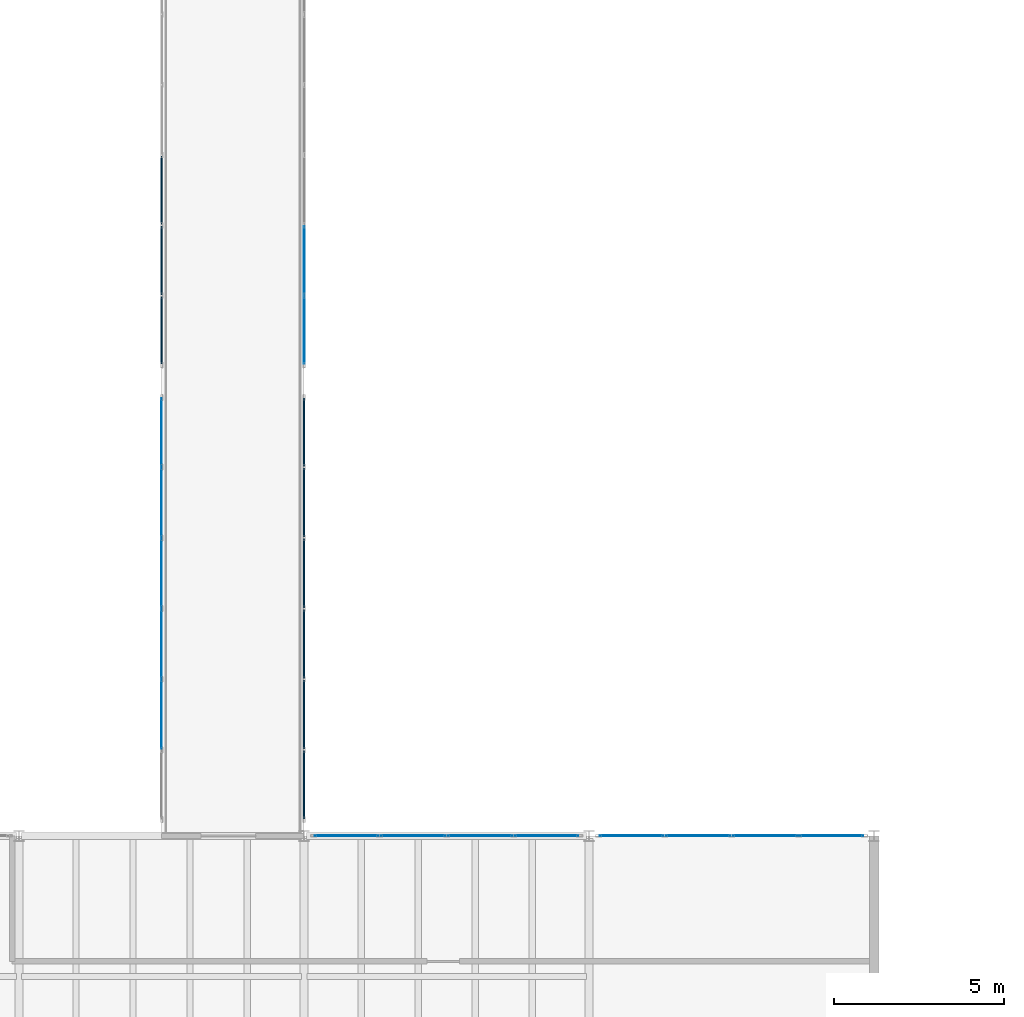
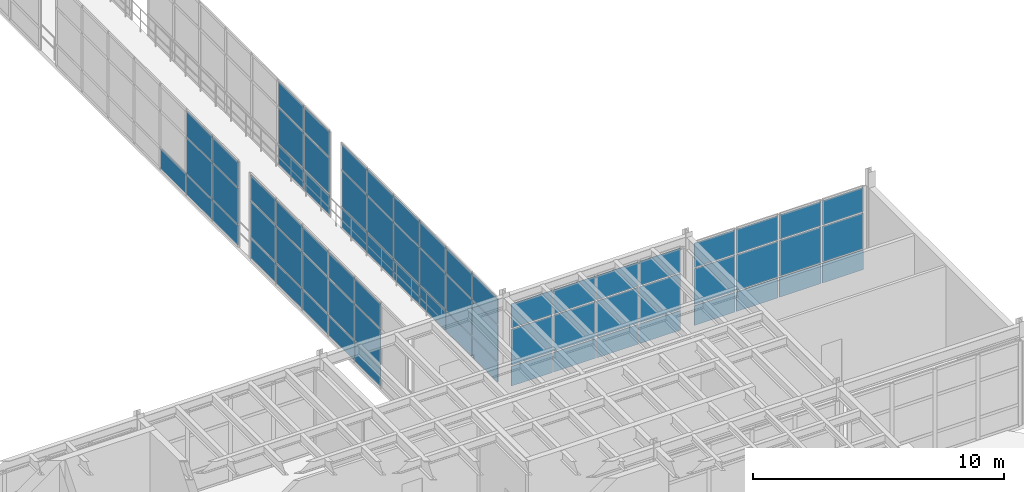
# One storey, part 77 of 105: 70 plates, 6 elements without a shape of their own.
"""IFC4 building model written with IfcOpenShell, lengths in metres."""

from ifc_helpers import new_model, si_unit, direction, frame, origin, origin_2d, place, context, subcontext, project, spatial, rectangle, extrude, material, layer, layer_set, type_object, element, aggregate, save


model = new_model("IFC4")

# Units and contexts
model_context = context("Model", 3, precision=1e-05, world=origin(), true_north=direction((0.0, 1.0)))
body_context = subcontext(model_context, "Body", "Model", "MODEL_VIEW")
ifc_project = project(units=[si_unit("LENGTHUNIT", "METRE"), si_unit("AREAUNIT", "SQUARE_METRE"), si_unit("VOLUMEUNIT", "CUBIC_METRE"), si_unit("PLANEANGLEUNIT", "RADIAN"), si_unit("MASSUNIT", "GRAM", prefix="KILO")], contexts=[model_context])

# Site, building, storey
site_placement = place(None, origin())
site = spatial("IfcSite", under=ifc_project, at=site_placement, CompositionType="ELEMENT")
building_placement = place(site_placement, origin())
building = spatial("IfcBuilding", under=site, at=building_placement, Name="Selat Folded Stagehouse", CompositionType="ELEMENT")
storey_placement = place(building_placement, frame((0.0, 0.0, 10.199951171875)))
storey = spatial("IfcBuildingStorey", under=building, at=storey_placement, Name="L02", CompositionType="ELEMENT", Elevation=10.199951171875)

# Curtain wall, plates
ifc_material_1 = material(Name="Aluminium 6063-T6", Category="aluminium")
ifc_layer_1 = layer(ifc_material_1, 0.195068359375)
ifc_layer_set_1 = layer_set([ifc_layer_1], Name="Aluminium 6063-T6")
curtain_wall_type_1 = type_object("IfcCurtainWallType", Name="CW-FYR-COURT", PredefinedType="NOTDEFINED", material=ifc_layer_set_1)
curtain_wall_1_placement = place(storey_placement, origin())
curtain_wall_1 = element("IfcCurtainWall", 1, at=curtain_wall_1_placement, inside=storey, type_object=curtain_wall_type_1, Name="L02 curtain wall CW-FYR-L02-12", PredefinedType="NOTDEFINED")
ifc_material_2 = material(Name="Clear laminated double glazing", Category="glass")
ifc_layer_2 = layer(ifc_material_2, 0.028076171875)
ifc_layer_set_2 = layer_set([ifc_layer_2], Name="Clear laminated double glazing")
plate_type_1 = type_object("IfcPlateType", Name="CWP-GLZ-DGU28", PredefinedType="CURTAIN_PANEL", material=ifc_layer_set_2)
plate_1_placement = place(storey_placement, frame((102.0537109375, 17.800048828125, 0.06494140625), z_axis=(0.0, 0.0, 1.0), x_axis=(1.0, 0.0, 0.0)))
plate_1 = element("IfcPlate", 2, at=plate_1_placement, type_object=plate_type_1, Name="CW-05 panel 1.1", PredefinedType="CURTAIN_PANEL", context=body_context, shape_type="SweptSolid", body=[
    extrude(rectangle(XDim=1.87744140625, YDim=0.028076171875, at=origin_2d()), origin(), (0.0, 0.0, 1.0), 0.952392578125),
])
plate_2_placement = place(storey_placement, frame((102.0537109375, 17.800048828125, 1.08251953125), z_axis=(0.0, 0.0, 1.0), x_axis=(1.0, 0.0, 0.0)))
plate_2 = element("IfcPlate", 3, at=plate_2_placement, type_object=plate_type_1, Name="CW-05 panel 1.2", PredefinedType="CURTAIN_PANEL", context=body_context, shape_type="SweptSolid", body=[
    extrude(rectangle(XDim=1.87744140625, YDim=0.028076171875, at=origin_2d()), origin(), (0.0, 0.0, 1.0), 1.735107421875),
])
plate_3_placement = place(storey_placement, frame((102.0537109375, 17.800048828125, 2.88232421875), z_axis=(0.0, 0.0, 1.0), x_axis=(1.0, 0.0, 0.0)))
plate_3 = element("IfcPlate", 4, at=plate_3_placement, type_object=plate_type_1, Name="CW-05 panel 1.3", PredefinedType="CURTAIN_PANEL", context=body_context, shape_type="SweptSolid", body=[
    extrude(rectangle(XDim=1.87744140625, YDim=0.028076171875, at=origin_2d()), origin(), (0.0, 0.0, 1.0), 1.172607421875),
])
plate_4_placement = place(storey_placement, frame((104.012451171875, 17.800048828125, 0.06494140625), z_axis=(0.0, 0.0, 1.0), x_axis=(1.0, 0.0, 0.0)))
plate_4 = element("IfcPlate", 5, at=plate_4_placement, type_object=plate_type_1, Name="CW-05 panel 2.1", PredefinedType="CURTAIN_PANEL", context=body_context, shape_type="SweptSolid", body=[
    extrude(rectangle(XDim=1.909912109375, YDim=0.028076171875, at=origin_2d()), origin(), (0.0, 0.0, 1.0), 0.952392578125),
])
plate_5_placement = place(storey_placement, frame((104.012451171875, 17.800048828125, 1.08251953125), z_axis=(0.0, 0.0, 1.0), x_axis=(1.0, 0.0, 0.0)))
plate_5 = element("IfcPlate", 6, at=plate_5_placement, type_object=plate_type_1, Name="CW-05 panel 2.2", PredefinedType="CURTAIN_PANEL", context=body_context, shape_type="SweptSolid", body=[
    extrude(rectangle(XDim=1.909912109375, YDim=0.028076171875, at=origin_2d()), origin(), (0.0, 0.0, 1.0), 1.735107421875),
])
plate_6_placement = place(storey_placement, frame((104.012451171875, 17.800048828125, 2.88232421875), z_axis=(0.0, 0.0, 1.0), x_axis=(1.0, 0.0, 0.0)))
plate_6 = element("IfcPlate", 7, at=plate_6_placement, type_object=plate_type_1, Name="CW-05 panel 2.3", PredefinedType="CURTAIN_PANEL", context=body_context, shape_type="SweptSolid", body=[
    extrude(rectangle(XDim=1.909912109375, YDim=0.028076171875, at=origin_2d()), origin(), (0.0, 0.0, 1.0), 1.172607421875),
])
plate_7_placement = place(storey_placement, frame((105.987548828125, 17.800048828125, 0.06494140625), z_axis=(0.0, 0.0, 1.0), x_axis=(1.0, 0.0, 0.0)))
plate_7 = element("IfcPlate", 8, at=plate_7_placement, type_object=plate_type_1, Name="CW-05 panel 3.1", PredefinedType="CURTAIN_PANEL", context=body_context, shape_type="SweptSolid", body=[
    extrude(rectangle(XDim=1.909912109375, YDim=0.028076171875, at=origin_2d()), origin(), (0.0, 0.0, 1.0), 0.952392578125),
])
plate_8_placement = place(storey_placement, frame((105.987548828125, 17.800048828125, 1.08251953125), z_axis=(0.0, 0.0, 1.0), x_axis=(1.0, 0.0, 0.0)))
plate_8 = element("IfcPlate", 9, at=plate_8_placement, type_object=plate_type_1, Name="CW-05 panel 3.2", PredefinedType="CURTAIN_PANEL", context=body_context, shape_type="SweptSolid", body=[
    extrude(rectangle(XDim=1.909912109375, YDim=0.028076171875, at=origin_2d()), origin(), (0.0, 0.0, 1.0), 1.735107421875),
])
plate_9_placement = place(storey_placement, frame((105.987548828125, 17.800048828125, 2.88232421875), z_axis=(0.0, 0.0, 1.0), x_axis=(1.0, 0.0, 0.0)))
plate_9 = element("IfcPlate", 10, at=plate_9_placement, type_object=plate_type_1, Name="CW-05 panel 3.3", PredefinedType="CURTAIN_PANEL", context=body_context, shape_type="SweptSolid", body=[
    extrude(rectangle(XDim=1.909912109375, YDim=0.028076171875, at=origin_2d()), origin(), (0.0, 0.0, 1.0), 1.172607421875),
])
plate_10_placement = place(storey_placement, frame((107.9462890625, 17.800048828125, 0.06494140625), z_axis=(0.0, 0.0, 1.0), x_axis=(1.0, 0.0, 0.0)))
plate_10 = element("IfcPlate", 11, at=plate_10_placement, type_object=plate_type_1, Name="CW-05 panel 4.1", PredefinedType="CURTAIN_PANEL", context=body_context, shape_type="SweptSolid", body=[
    extrude(rectangle(XDim=1.87744140625, YDim=0.028076171875, at=origin_2d()), origin(), (0.0, 0.0, 1.0), 0.952392578125),
])
plate_11_placement = place(storey_placement, frame((107.9462890625, 17.800048828125, 1.08251953125), z_axis=(0.0, 0.0, 1.0), x_axis=(1.0, 0.0, 0.0)))
plate_11 = element("IfcPlate", 12, at=plate_11_placement, type_object=plate_type_1, Name="CW-05 panel 4.2", PredefinedType="CURTAIN_PANEL", context=body_context, shape_type="SweptSolid", body=[
    extrude(rectangle(XDim=1.87744140625, YDim=0.028076171875, at=origin_2d()), origin(), (0.0, 0.0, 1.0), 1.735107421875),
])
plate_12_placement = place(storey_placement, frame((107.9462890625, 17.800048828125, 2.88232421875), z_axis=(0.0, 0.0, 1.0), x_axis=(1.0, 0.0, 0.0)))
plate_12 = element("IfcPlate", 13, at=plate_12_placement, type_object=plate_type_1, Name="CW-05 panel 4.3", PredefinedType="CURTAIN_PANEL", context=body_context, shape_type="SweptSolid", body=[
    extrude(rectangle(XDim=1.87744140625, YDim=0.028076171875, at=origin_2d()), origin(), (0.0, 0.0, 1.0), 1.172607421875),
])
aggregate(curtain_wall_1, [plate_1, plate_2, plate_3, plate_4, plate_5, plate_6, plate_7, plate_8, plate_9, plate_10, plate_11, plate_12])

curtain_wall_2_placement = place(storey_placement, origin())
curtain_wall_2 = element("IfcCurtainWall", 14, at=curtain_wall_2_placement, inside=storey, type_object=curtain_wall_type_1, Name="L02 curtain wall CW-FYR-L02-13", PredefinedType="NOTDEFINED")
plate_13_placement = place(storey_placement, frame((110.453857421875, 17.800048828125, 0.06494140625), z_axis=(0.0, 0.0, 1.0), x_axis=(1.0, 0.0, 0.0)))
plate_13 = element("IfcPlate", 15, at=plate_13_placement, type_object=plate_type_1, Name="CW-05 panel 1.1", PredefinedType="CURTAIN_PANEL", context=body_context, shape_type="SweptSolid", body=[
    extrude(rectangle(XDim=1.87744140625, YDim=0.028076171875, at=origin_2d()), origin(), (0.0, 0.0, 1.0), 0.952392578125),
])
plate_14_placement = place(storey_placement, frame((110.453857421875, 17.800048828125, 1.08251953125), z_axis=(0.0, 0.0, 1.0), x_axis=(1.0, 0.0, 0.0)))
plate_14 = element("IfcPlate", 16, at=plate_14_placement, type_object=plate_type_1, Name="CW-05 panel 1.2", PredefinedType="CURTAIN_PANEL", context=body_context, shape_type="SweptSolid", body=[
    extrude(rectangle(XDim=1.87744140625, YDim=0.028076171875, at=origin_2d()), origin(), (0.0, 0.0, 1.0), 1.735107421875),
])
plate_15_placement = place(storey_placement, frame((110.453857421875, 17.800048828125, 2.88232421875), z_axis=(0.0, 0.0, 1.0), x_axis=(1.0, 0.0, 0.0)))
plate_15 = element("IfcPlate", 17, at=plate_15_placement, type_object=plate_type_1, Name="CW-05 panel 1.3", PredefinedType="CURTAIN_PANEL", context=body_context, shape_type="SweptSolid", body=[
    extrude(rectangle(XDim=1.87744140625, YDim=0.028076171875, at=origin_2d()), origin(), (0.0, 0.0, 1.0), 1.172607421875),
])
plate_16_placement = place(storey_placement, frame((112.41259765625, 17.800048828125, 0.06494140625), z_axis=(0.0, 0.0, 1.0), x_axis=(1.0, 0.0, 0.0)))
plate_16 = element("IfcPlate", 18, at=plate_16_placement, type_object=plate_type_1, Name="CW-05 panel 2.1", PredefinedType="CURTAIN_PANEL", context=body_context, shape_type="SweptSolid", body=[
    extrude(rectangle(XDim=1.909912109375, YDim=0.028076171875, at=origin_2d()), origin(), (0.0, 0.0, 1.0), 0.952392578125),
])
plate_17_placement = place(storey_placement, frame((112.41259765625, 17.800048828125, 1.08251953125), z_axis=(0.0, 0.0, 1.0), x_axis=(1.0, 0.0, 0.0)))
plate_17 = element("IfcPlate", 19, at=plate_17_placement, type_object=plate_type_1, Name="CW-05 panel 2.2", PredefinedType="CURTAIN_PANEL", context=body_context, shape_type="SweptSolid", body=[
    extrude(rectangle(XDim=1.909912109375, YDim=0.028076171875, at=origin_2d()), origin(), (0.0, 0.0, 1.0), 1.735107421875),
])
plate_18_placement = place(storey_placement, frame((112.41259765625, 17.800048828125, 2.88232421875), z_axis=(0.0, 0.0, 1.0), x_axis=(1.0, 0.0, 0.0)))
plate_18 = element("IfcPlate", 20, at=plate_18_placement, type_object=plate_type_1, Name="CW-05 panel 2.3", PredefinedType="CURTAIN_PANEL", context=body_context, shape_type="SweptSolid", body=[
    extrude(rectangle(XDim=1.909912109375, YDim=0.028076171875, at=origin_2d()), origin(), (0.0, 0.0, 1.0), 1.172607421875),
])
plate_19_placement = place(storey_placement, frame((114.387451171875, 17.800048828125, 0.06494140625), z_axis=(0.0, 0.0, 1.0), x_axis=(1.0, 0.0, 0.0)))
plate_19 = element("IfcPlate", 21, at=plate_19_placement, type_object=plate_type_1, Name="CW-05 panel 3.1", PredefinedType="CURTAIN_PANEL", context=body_context, shape_type="SweptSolid", body=[
    extrude(rectangle(XDim=1.909912109375, YDim=0.028076171875, at=origin_2d()), origin(), (0.0, 0.0, 1.0), 0.952392578125),
])
plate_20_placement = place(storey_placement, frame((114.387451171875, 17.800048828125, 1.08251953125), z_axis=(0.0, 0.0, 1.0), x_axis=(1.0, 0.0, 0.0)))
plate_20 = element("IfcPlate", 22, at=plate_20_placement, type_object=plate_type_1, Name="CW-05 panel 3.2", PredefinedType="CURTAIN_PANEL", context=body_context, shape_type="SweptSolid", body=[
    extrude(rectangle(XDim=1.909912109375, YDim=0.028076171875, at=origin_2d()), origin(), (0.0, 0.0, 1.0), 1.735107421875),
])
plate_21_placement = place(storey_placement, frame((114.387451171875, 17.800048828125, 2.88232421875), z_axis=(0.0, 0.0, 1.0), x_axis=(1.0, 0.0, 0.0)))
plate_21 = element("IfcPlate", 23, at=plate_21_placement, type_object=plate_type_1, Name="CW-05 panel 3.3", PredefinedType="CURTAIN_PANEL", context=body_context, shape_type="SweptSolid", body=[
    extrude(rectangle(XDim=1.909912109375, YDim=0.028076171875, at=origin_2d()), origin(), (0.0, 0.0, 1.0), 1.172607421875),
])
plate_22_placement = place(storey_placement, frame((116.34619140625, 17.800048828125, 0.06494140625), z_axis=(0.0, 0.0, 1.0), x_axis=(1.0, 0.0, 0.0)))
plate_22 = element("IfcPlate", 24, at=plate_22_placement, type_object=plate_type_1, Name="CW-05 panel 4.1", PredefinedType="CURTAIN_PANEL", context=body_context, shape_type="SweptSolid", body=[
    extrude(rectangle(XDim=1.87744140625, YDim=0.028076171875, at=origin_2d()), origin(), (0.0, 0.0, 1.0), 0.952392578125),
])
plate_23_placement = place(storey_placement, frame((116.34619140625, 17.800048828125, 1.08251953125), z_axis=(0.0, 0.0, 1.0), x_axis=(1.0, 0.0, 0.0)))
plate_23 = element("IfcPlate", 25, at=plate_23_placement, type_object=plate_type_1, Name="CW-05 panel 4.2", PredefinedType="CURTAIN_PANEL", context=body_context, shape_type="SweptSolid", body=[
    extrude(rectangle(XDim=1.87744140625, YDim=0.028076171875, at=origin_2d()), origin(), (0.0, 0.0, 1.0), 1.735107421875),
])
plate_24_placement = place(storey_placement, frame((116.34619140625, 17.800048828125, 2.88232421875), z_axis=(0.0, 0.0, 1.0), x_axis=(1.0, 0.0, 0.0)))
plate_24 = element("IfcPlate", 26, at=plate_24_placement, type_object=plate_type_1, Name="CW-05 panel 4.3", PredefinedType="CURTAIN_PANEL", context=body_context, shape_type="SweptSolid", body=[
    extrude(rectangle(XDim=1.87744140625, YDim=0.028076171875, at=origin_2d()), origin(), (0.0, 0.0, 1.0), 1.172607421875),
])
aggregate(curtain_wall_2, [plate_13, plate_14, plate_15, plate_16, plate_17, plate_18, plate_19, plate_20, plate_21, plate_22, plate_23, plate_24])

ifc_layer_3 = layer(ifc_material_1, 0.175048828125)
ifc_layer_set_3 = layer_set([ifc_layer_3], Name="Aluminium 6063-T6")
curtain_wall_type_2 = type_object("IfcCurtainWallType", Name="CW-BRG-GLAZ", PredefinedType="NOTDEFINED", material=ifc_layer_set_3)
curtain_wall_3_placement = place(storey_placement, origin())
curtain_wall_3 = element("IfcCurtainWall", 27, at=curtain_wall_3_placement, inside=storey, type_object=curtain_wall_type_2, Name="L02 curtain wall CW-BRG-11", PredefinedType="NOTDEFINED")
plate_25_placement = place(storey_placement, frame((96.60009765625, 21.375, 0.06494140625), z_axis=(0.0, 0.0, 1.0), x_axis=(0.0, 1.0, 0.0)))
plate_25 = element("IfcPlate", 28, at=plate_25_placement, type_object=plate_type_1, Name="CW-07 panel 2.1", PredefinedType="CURTAIN_PANEL", context=body_context, shape_type="SweptSolid", body=[
    extrude(rectangle(XDim=2.0234375, YDim=0.028076171875, at=origin_2d()), origin(), (0.0, 0.0, 1.0), 0.952392578125),
])
plate_26_placement = place(storey_placement, frame((96.60009765625, 21.375, 1.08251953125), z_axis=(0.0, 0.0, 1.0), x_axis=(0.0, 1.0, 0.0)))
plate_26 = element("IfcPlate", 29, at=plate_26_placement, type_object=plate_type_1, Name="CW-07 panel 2.2", PredefinedType="CURTAIN_PANEL", context=body_context, shape_type="SweptSolid", body=[
    extrude(rectangle(XDim=2.0234375, YDim=0.028076171875, at=origin_2d()), origin(), (0.0, 0.0, 1.0), 1.735107421875),
])
plate_27_placement = place(storey_placement, frame((96.60009765625, 21.375, 2.8828125), z_axis=(0.0, 0.0, 1.0), x_axis=(0.0, 1.0, 0.0)))
plate_27 = element("IfcPlate", 30, at=plate_27_placement, type_object=plate_type_1, Name="CW-07 panel 2.3", PredefinedType="CURTAIN_PANEL", context=body_context, shape_type="SweptSolid", body=[
    extrude(rectangle(XDim=2.0234375, YDim=0.028076171875, at=origin_2d()), origin(), (0.0, 0.0, 1.0), 1.202392578125),
])
plate_28_placement = place(storey_placement, frame((96.60009765625, 23.458251953125, 0.06494140625), z_axis=(0.0, 0.0, 1.0), x_axis=(0.0, 1.0, 0.0)))
plate_28 = element("IfcPlate", 31, at=plate_28_placement, type_object=plate_type_1, Name="CW-07 panel 3.1", PredefinedType="CURTAIN_PANEL", context=body_context, shape_type="SweptSolid", body=[
    extrude(rectangle(XDim=2.0234375, YDim=0.028076171875, at=origin_2d()), origin(), (0.0, 0.0, 1.0), 0.952392578125),
])
plate_29_placement = place(storey_placement, frame((96.60009765625, 23.458251953125, 1.08251953125), z_axis=(0.0, 0.0, 1.0), x_axis=(0.0, 1.0, 0.0)))
plate_29 = element("IfcPlate", 32, at=plate_29_placement, type_object=plate_type_1, Name="CW-07 panel 3.2", PredefinedType="CURTAIN_PANEL", context=body_context, shape_type="SweptSolid", body=[
    extrude(rectangle(XDim=2.0234375, YDim=0.028076171875, at=origin_2d()), origin(), (0.0, 0.0, 1.0), 1.735107421875),
])
plate_30_placement = place(storey_placement, frame((96.60009765625, 23.458251953125, 2.8828125), z_axis=(0.0, 0.0, 1.0), x_axis=(0.0, 1.0, 0.0)))
plate_30 = element("IfcPlate", 33, at=plate_30_placement, type_object=plate_type_1, Name="CW-07 panel 3.3", PredefinedType="CURTAIN_PANEL", context=body_context, shape_type="SweptSolid", body=[
    extrude(rectangle(XDim=2.0234375, YDim=0.028076171875, at=origin_2d()), origin(), (0.0, 0.0, 1.0), 1.202392578125),
])
plate_31_placement = place(storey_placement, frame((96.60009765625, 25.541748046875, 0.06494140625), z_axis=(0.0, 0.0, 1.0), x_axis=(0.0, 1.0, 0.0)))
plate_31 = element("IfcPlate", 34, at=plate_31_placement, type_object=plate_type_1, Name="CW-07 panel 4.1", PredefinedType="CURTAIN_PANEL", context=body_context, shape_type="SweptSolid", body=[
    extrude(rectangle(XDim=2.0234375, YDim=0.028076171875, at=origin_2d()), origin(), (0.0, 0.0, 1.0), 0.952392578125),
])
plate_32_placement = place(storey_placement, frame((96.60009765625, 25.541748046875, 1.08251953125), z_axis=(0.0, 0.0, 1.0), x_axis=(0.0, 1.0, 0.0)))
plate_32 = element("IfcPlate", 35, at=plate_32_placement, type_object=plate_type_1, Name="CW-07 panel 4.2", PredefinedType="CURTAIN_PANEL", context=body_context, shape_type="SweptSolid", body=[
    extrude(rectangle(XDim=2.0234375, YDim=0.028076171875, at=origin_2d()), origin(), (0.0, 0.0, 1.0), 1.735107421875),
])
plate_33_placement = place(storey_placement, frame((96.60009765625, 25.541748046875, 2.8828125), z_axis=(0.0, 0.0, 1.0), x_axis=(0.0, 1.0, 0.0)))
plate_33 = element("IfcPlate", 36, at=plate_33_placement, type_object=plate_type_1, Name="CW-07 panel 4.3", PredefinedType="CURTAIN_PANEL", context=body_context, shape_type="SweptSolid", body=[
    extrude(rectangle(XDim=2.0234375, YDim=0.028076171875, at=origin_2d()), origin(), (0.0, 0.0, 1.0), 1.202392578125),
])
plate_34_placement = place(storey_placement, frame((96.60009765625, 27.625, 0.06494140625), z_axis=(0.0, 0.0, 1.0), x_axis=(0.0, 1.0, 0.0)))
plate_34 = element("IfcPlate", 37, at=plate_34_placement, type_object=plate_type_1, Name="CW-07 panel 5.1", PredefinedType="CURTAIN_PANEL", context=body_context, shape_type="SweptSolid", body=[
    extrude(rectangle(XDim=2.0234375, YDim=0.028076171875, at=origin_2d()), origin(), (0.0, 0.0, 1.0), 0.952392578125),
])
plate_35_placement = place(storey_placement, frame((96.60009765625, 27.625, 1.08251953125), z_axis=(0.0, 0.0, 1.0), x_axis=(0.0, 1.0, 0.0)))
plate_35 = element("IfcPlate", 38, at=plate_35_placement, type_object=plate_type_1, Name="CW-07 panel 5.2", PredefinedType="CURTAIN_PANEL", context=body_context, shape_type="SweptSolid", body=[
    extrude(rectangle(XDim=2.0234375, YDim=0.028076171875, at=origin_2d()), origin(), (0.0, 0.0, 1.0), 1.735107421875),
])
plate_36_placement = place(storey_placement, frame((96.60009765625, 27.625, 2.8828125), z_axis=(0.0, 0.0, 1.0), x_axis=(0.0, 1.0, 0.0)))
plate_36 = element("IfcPlate", 39, at=plate_36_placement, type_object=plate_type_1, Name="CW-07 panel 5.3", PredefinedType="CURTAIN_PANEL", context=body_context, shape_type="SweptSolid", body=[
    extrude(rectangle(XDim=2.0234375, YDim=0.028076171875, at=origin_2d()), origin(), (0.0, 0.0, 1.0), 1.202392578125),
])
plate_37_placement = place(storey_placement, frame((96.60009765625, 29.693359375, 0.06494140625), z_axis=(0.0, 0.0, 1.0), x_axis=(0.0, 1.0, 0.0)))
plate_37 = element("IfcPlate", 40, at=plate_37_placement, type_object=plate_type_1, Name="CW-07 panel 6.1", PredefinedType="CURTAIN_PANEL", context=body_context, shape_type="SweptSolid", body=[
    extrude(rectangle(XDim=1.993408203125, YDim=0.028076171875, at=origin_2d()), origin(), (0.0, 0.0, 1.0), 0.952392578125),
])
plate_38_placement = place(storey_placement, frame((96.60009765625, 29.693359375, 1.08251953125), z_axis=(0.0, 0.0, 1.0), x_axis=(0.0, 1.0, 0.0)))
plate_38 = element("IfcPlate", 41, at=plate_38_placement, type_object=plate_type_1, Name="CW-07 panel 6.2", PredefinedType="CURTAIN_PANEL", context=body_context, shape_type="SweptSolid", body=[
    extrude(rectangle(XDim=1.993408203125, YDim=0.028076171875, at=origin_2d()), origin(), (0.0, 0.0, 1.0), 1.735107421875),
])
plate_39_placement = place(storey_placement, frame((96.60009765625, 29.693359375, 2.8828125), z_axis=(0.0, 0.0, 1.0), x_axis=(0.0, 1.0, 0.0)))
plate_39 = element("IfcPlate", 42, at=plate_39_placement, type_object=plate_type_1, Name="CW-07 panel 6.3", PredefinedType="CURTAIN_PANEL", context=body_context, shape_type="SweptSolid", body=[
    extrude(rectangle(XDim=1.993408203125, YDim=0.028076171875, at=origin_2d()), origin(), (0.0, 0.0, 1.0), 1.202392578125),
])
aggregate(curtain_wall_3, [plate_25, plate_26, plate_27, plate_28, plate_29, plate_30, plate_31, plate_32, plate_33, plate_34, plate_35, plate_36, plate_37, plate_38, plate_39])

curtain_wall_4_placement = place(storey_placement, origin())
curtain_wall_4 = element("IfcCurtainWall", 43, at=curtain_wall_4_placement, inside=storey, type_object=curtain_wall_type_2, Name="L02 curtain wall CW-BRG-17", PredefinedType="NOTDEFINED")
plate_40_placement = place(storey_placement, frame((100.800048828125, 34.757080078125, 0.06494140625), z_axis=(0.0, 0.0, 1.0), x_axis=(0.0, -1.0, 0.0)))
plate_40 = element("IfcPlate", 44, at=plate_40_placement, type_object=plate_type_1, Name="CW-07 panel 6.1", PredefinedType="CURTAIN_PANEL", context=body_context, shape_type="SweptSolid", body=[
    extrude(rectangle(XDim=2.011474609375, YDim=0.028076171875, at=origin_2d()), origin(), (0.0, 0.0, 1.0), 0.952392578125),
])
plate_41_placement = place(storey_placement, frame((100.800048828125, 34.757080078125, 1.08251953125), z_axis=(0.0, 0.0, 1.0), x_axis=(0.0, -1.0, 0.0)))
plate_41 = element("IfcPlate", 45, at=plate_41_placement, type_object=plate_type_1, Name="CW-07 panel 6.2", PredefinedType="CURTAIN_PANEL", context=body_context, shape_type="SweptSolid", body=[
    extrude(rectangle(XDim=2.011474609375, YDim=0.028076171875, at=origin_2d()), origin(), (0.0, 0.0, 1.0), 1.735107421875),
])
plate_42_placement = place(storey_placement, frame((100.800048828125, 34.757080078125, 2.8828125), z_axis=(0.0, 0.0, 1.0), x_axis=(0.0, -1.0, 0.0)))
plate_42 = element("IfcPlate", 46, at=plate_42_placement, type_object=plate_type_1, Name="CW-07 panel 6.3", PredefinedType="CURTAIN_PANEL", context=body_context, shape_type="SweptSolid", body=[
    extrude(rectangle(XDim=2.011474609375, YDim=0.028076171875, at=origin_2d()), origin(), (0.0, 0.0, 1.0), 1.202392578125),
])
plate_43_placement = place(storey_placement, frame((100.800048828125, 32.70068359375, 0.06494140625), z_axis=(0.0, 0.0, 1.0), x_axis=(0.0, -1.0, 0.0)))
plate_43 = element("IfcPlate", 47, at=plate_43_placement, type_object=plate_type_1, Name="CW-07 panel 7.1", PredefinedType="CURTAIN_PANEL", context=body_context, shape_type="SweptSolid", body=[
    extrude(rectangle(XDim=1.9814453125, YDim=0.028076171875, at=origin_2d()), origin(), (0.0, 0.0, 1.0), 0.952392578125),
])
plate_44_placement = place(storey_placement, frame((100.800048828125, 32.70068359375, 1.08251953125), z_axis=(0.0, 0.0, 1.0), x_axis=(0.0, -1.0, 0.0)))
plate_44 = element("IfcPlate", 48, at=plate_44_placement, type_object=plate_type_1, Name="CW-07 panel 7.2", PredefinedType="CURTAIN_PANEL", context=body_context, shape_type="SweptSolid", body=[
    extrude(rectangle(XDim=1.9814453125, YDim=0.028076171875, at=origin_2d()), origin(), (0.0, 0.0, 1.0), 1.735107421875),
])
plate_45_placement = place(storey_placement, frame((100.800048828125, 32.70068359375, 2.8828125), z_axis=(0.0, 0.0, 1.0), x_axis=(0.0, -1.0, 0.0)))
plate_45 = element("IfcPlate", 49, at=plate_45_placement, type_object=plate_type_1, Name="CW-07 panel 7.3", PredefinedType="CURTAIN_PANEL", context=body_context, shape_type="SweptSolid", body=[
    extrude(rectangle(XDim=1.9814453125, YDim=0.028076171875, at=origin_2d()), origin(), (0.0, 0.0, 1.0), 1.202392578125),
])
aggregate(curtain_wall_4, [plate_40, plate_41, plate_42, plate_43, plate_44, plate_45])

curtain_wall_5_placement = place(storey_placement, origin())
curtain_wall_5 = element("IfcCurtainWall", 50, at=curtain_wall_5_placement, inside=storey, type_object=curtain_wall_type_2, Name="L02 curtain wall CW-BRG-12", PredefinedType="NOTDEFINED")
ifc_material_3 = material(Name="Acoustic insulated spandrel cassette", Category="aluminium")
ifc_layer_4 = layer(ifc_material_3, 0.055908203125)
ifc_layer_set_4 = layer_set([ifc_layer_4], Name="Acoustic insulated spandrel cassette")
plate_type_2 = type_object("IfcPlateType", Name="CWP-SPD-ALU56", PredefinedType="CURTAIN_PANEL", material=ifc_layer_set_4)
plate_46_placement = place(storey_placement, frame((96.60009765625, 32.70068359375, 0.06494140625), z_axis=(0.0, 0.0, 1.0), x_axis=(0.0, 1.0, 0.0)))
plate_46 = element("IfcPlate", 51, at=plate_46_placement, type_object=plate_type_2, Name="CW-07 panel 1.1", PredefinedType="CURTAIN_PANEL", context=body_context, shape_type="SweptSolid", body=[
    extrude(rectangle(XDim=1.9814453125, YDim=0.055908203125, at=origin_2d()), origin(), (0.0, 0.0, 1.0), 0.952392578125),
])
plate_47_placement = place(storey_placement, frame((96.60009765625, 32.70068359375, 1.08251953125), z_axis=(0.0, 0.0, 1.0), x_axis=(0.0, 1.0, 0.0)))
plate_47 = element("IfcPlate", 52, at=plate_47_placement, type_object=plate_type_2, Name="CW-07 panel 1.2", PredefinedType="CURTAIN_PANEL", context=body_context, shape_type="SweptSolid", body=[
    extrude(rectangle(XDim=1.9814453125, YDim=0.055908203125, at=origin_2d()), origin(), (0.0, 0.0, 1.0), 1.735107421875),
])
plate_48_placement = place(storey_placement, frame((96.60009765625, 32.70068359375, 2.8828125), z_axis=(0.0, 0.0, 1.0), x_axis=(0.0, 1.0, 0.0)))
plate_48 = element("IfcPlate", 53, at=plate_48_placement, type_object=plate_type_2, Name="CW-07 panel 1.3", PredefinedType="CURTAIN_PANEL", context=body_context, shape_type="SweptSolid", body=[
    extrude(rectangle(XDim=1.9814453125, YDim=0.055908203125, at=origin_2d()), origin(), (0.0, 0.0, 1.0), 1.202392578125),
])
plate_49_placement = place(storey_placement, frame((96.60009765625, 34.757080078125, 0.06494140625), z_axis=(0.0, 0.0, 1.0), x_axis=(0.0, 1.0, 0.0)))
plate_49 = element("IfcPlate", 54, at=plate_49_placement, type_object=plate_type_2, Name="CW-07 panel 2.1", PredefinedType="CURTAIN_PANEL", context=body_context, shape_type="SweptSolid", body=[
    extrude(rectangle(XDim=2.011474609375, YDim=0.055908203125, at=origin_2d()), origin(), (0.0, 0.0, 1.0), 0.952392578125),
])
plate_50_placement = place(storey_placement, frame((96.60009765625, 34.757080078125, 1.08251953125), z_axis=(0.0, 0.0, 1.0), x_axis=(0.0, 1.0, 0.0)))
plate_50 = element("IfcPlate", 55, at=plate_50_placement, type_object=plate_type_2, Name="CW-07 panel 2.2", PredefinedType="CURTAIN_PANEL", context=body_context, shape_type="SweptSolid", body=[
    extrude(rectangle(XDim=2.011474609375, YDim=0.055908203125, at=origin_2d()), origin(), (0.0, 0.0, 1.0), 1.735107421875),
])
plate_51_placement = place(storey_placement, frame((96.60009765625, 34.757080078125, 2.8828125), z_axis=(0.0, 0.0, 1.0), x_axis=(0.0, 1.0, 0.0)))
plate_51 = element("IfcPlate", 56, at=plate_51_placement, type_object=plate_type_2, Name="CW-07 panel 2.3", PredefinedType="CURTAIN_PANEL", context=body_context, shape_type="SweptSolid", body=[
    extrude(rectangle(XDim=2.011474609375, YDim=0.055908203125, at=origin_2d()), origin(), (0.0, 0.0, 1.0), 1.202392578125),
])
plate_52_placement = place(storey_placement, frame((96.60009765625, 36.82861328125, 0.06494140625), z_axis=(0.0, 0.0, 1.0), x_axis=(0.0, 1.0, 0.0)))
plate_52 = element("IfcPlate", 57, at=plate_52_placement, type_object=plate_type_2, Name="CW-07 panel 3.1", PredefinedType="CURTAIN_PANEL", context=body_context, shape_type="SweptSolid", body=[
    extrude(rectangle(XDim=2.011474609375, YDim=0.055908203125, at=origin_2d()), origin(), (0.0, 0.0, 1.0), 0.952392578125),
])
aggregate(curtain_wall_5, [plate_46, plate_47, plate_48, plate_49, plate_50, plate_51, plate_52])

curtain_wall_6_placement = place(storey_placement, origin())
curtain_wall_6 = element("IfcCurtainWall", 58, at=curtain_wall_6_placement, inside=storey, type_object=curtain_wall_type_2, Name="L02 curtain wall CW-BRG-16", PredefinedType="NOTDEFINED")
plate_53_placement = place(storey_placement, frame((100.800048828125, 29.693359375, 0.06494140625), z_axis=(0.0, 0.0, 1.0), x_axis=(0.0, -1.0, 0.0)))
plate_53 = element("IfcPlate", 59, at=plate_53_placement, type_object=plate_type_2, Name="CW-07 panel 1.1", PredefinedType="CURTAIN_PANEL", context=body_context, shape_type="SweptSolid", body=[
    extrude(rectangle(XDim=1.993408203125, YDim=0.055908203125, at=origin_2d()), origin(), (0.0, 0.0, 1.0), 0.952392578125),
])
plate_54_placement = place(storey_placement, frame((100.800048828125, 29.693359375, 1.08251953125), z_axis=(0.0, 0.0, 1.0), x_axis=(0.0, -1.0, 0.0)))
plate_54 = element("IfcPlate", 60, at=plate_54_placement, type_object=plate_type_2, Name="CW-07 panel 1.2", PredefinedType="CURTAIN_PANEL", context=body_context, shape_type="SweptSolid", body=[
    extrude(rectangle(XDim=1.993408203125, YDim=0.055908203125, at=origin_2d()), origin(), (0.0, 0.0, 1.0), 1.735107421875),
])
plate_55_placement = place(storey_placement, frame((100.800048828125, 29.693359375, 2.8828125), z_axis=(0.0, 0.0, 1.0), x_axis=(0.0, -1.0, 0.0)))
plate_55 = element("IfcPlate", 61, at=plate_55_placement, type_object=plate_type_2, Name="CW-07 panel 1.3", PredefinedType="CURTAIN_PANEL", context=body_context, shape_type="SweptSolid", body=[
    extrude(rectangle(XDim=1.993408203125, YDim=0.055908203125, at=origin_2d()), origin(), (0.0, 0.0, 1.0), 1.202392578125),
])
plate_56_placement = place(storey_placement, frame((100.800048828125, 27.625, 0.06494140625), z_axis=(0.0, 0.0, 1.0), x_axis=(0.0, -1.0, 0.0)))
plate_56 = element("IfcPlate", 62, at=plate_56_placement, type_object=plate_type_2, Name="CW-07 panel 2.1", PredefinedType="CURTAIN_PANEL", context=body_context, shape_type="SweptSolid", body=[
    extrude(rectangle(XDim=2.0234375, YDim=0.055908203125, at=origin_2d()), origin(), (0.0, 0.0, 1.0), 0.952392578125),
])
plate_57_placement = place(storey_placement, frame((100.800048828125, 27.625, 1.08251953125), z_axis=(0.0, 0.0, 1.0), x_axis=(0.0, -1.0, 0.0)))
plate_57 = element("IfcPlate", 63, at=plate_57_placement, type_object=plate_type_2, Name="CW-07 panel 2.2", PredefinedType="CURTAIN_PANEL", context=body_context, shape_type="SweptSolid", body=[
    extrude(rectangle(XDim=2.0234375, YDim=0.055908203125, at=origin_2d()), origin(), (0.0, 0.0, 1.0), 1.735107421875),
])
plate_58_placement = place(storey_placement, frame((100.800048828125, 27.625, 2.8828125), z_axis=(0.0, 0.0, 1.0), x_axis=(0.0, -1.0, 0.0)))
plate_58 = element("IfcPlate", 64, at=plate_58_placement, type_object=plate_type_2, Name="CW-07 panel 2.3", PredefinedType="CURTAIN_PANEL", context=body_context, shape_type="SweptSolid", body=[
    extrude(rectangle(XDim=2.0234375, YDim=0.055908203125, at=origin_2d()), origin(), (0.0, 0.0, 1.0), 1.202392578125),
])
plate_59_placement = place(storey_placement, frame((100.800048828125, 25.541748046875, 0.06494140625), z_axis=(0.0, 0.0, 1.0), x_axis=(0.0, -1.0, 0.0)))
plate_59 = element("IfcPlate", 65, at=plate_59_placement, type_object=plate_type_2, Name="CW-07 panel 3.1", PredefinedType="CURTAIN_PANEL", context=body_context, shape_type="SweptSolid", body=[
    extrude(rectangle(XDim=2.0234375, YDim=0.055908203125, at=origin_2d()), origin(), (0.0, 0.0, 1.0), 0.952392578125),
])
plate_60_placement = place(storey_placement, frame((100.800048828125, 25.541748046875, 1.08251953125), z_axis=(0.0, 0.0, 1.0), x_axis=(0.0, -1.0, 0.0)))
plate_60 = element("IfcPlate", 66, at=plate_60_placement, type_object=plate_type_2, Name="CW-07 panel 3.2", PredefinedType="CURTAIN_PANEL", context=body_context, shape_type="SweptSolid", body=[
    extrude(rectangle(XDim=2.0234375, YDim=0.055908203125, at=origin_2d()), origin(), (0.0, 0.0, 1.0), 1.735107421875),
])
plate_61_placement = place(storey_placement, frame((100.800048828125, 25.541748046875, 2.8828125), z_axis=(0.0, 0.0, 1.0), x_axis=(0.0, -1.0, 0.0)))
plate_61 = element("IfcPlate", 67, at=plate_61_placement, type_object=plate_type_2, Name="CW-07 panel 3.3", PredefinedType="CURTAIN_PANEL", context=body_context, shape_type="SweptSolid", body=[
    extrude(rectangle(XDim=2.0234375, YDim=0.055908203125, at=origin_2d()), origin(), (0.0, 0.0, 1.0), 1.202392578125),
])
plate_62_placement = place(storey_placement, frame((100.800048828125, 23.458251953125, 0.06494140625), z_axis=(0.0, 0.0, 1.0), x_axis=(0.0, -1.0, 0.0)))
plate_62 = element("IfcPlate", 68, at=plate_62_placement, type_object=plate_type_2, Name="CW-07 panel 4.1", PredefinedType="CURTAIN_PANEL", context=body_context, shape_type="SweptSolid", body=[
    extrude(rectangle(XDim=2.0234375, YDim=0.055908203125, at=origin_2d()), origin(), (0.0, 0.0, 1.0), 0.952392578125),
])
plate_63_placement = place(storey_placement, frame((100.800048828125, 23.458251953125, 1.08251953125), z_axis=(0.0, 0.0, 1.0), x_axis=(0.0, -1.0, 0.0)))
plate_63 = element("IfcPlate", 69, at=plate_63_placement, type_object=plate_type_2, Name="CW-07 panel 4.2", PredefinedType="CURTAIN_PANEL", context=body_context, shape_type="SweptSolid", body=[
    extrude(rectangle(XDim=2.0234375, YDim=0.055908203125, at=origin_2d()), origin(), (0.0, 0.0, 1.0), 1.735107421875),
])
plate_64_placement = place(storey_placement, frame((100.800048828125, 23.458251953125, 2.8828125), z_axis=(0.0, 0.0, 1.0), x_axis=(0.0, -1.0, 0.0)))
plate_64 = element("IfcPlate", 70, at=plate_64_placement, type_object=plate_type_2, Name="CW-07 panel 4.3", PredefinedType="CURTAIN_PANEL", context=body_context, shape_type="SweptSolid", body=[
    extrude(rectangle(XDim=2.0234375, YDim=0.055908203125, at=origin_2d()), origin(), (0.0, 0.0, 1.0), 1.202392578125),
])
plate_65_placement = place(storey_placement, frame((100.800048828125, 21.375, 0.06494140625), z_axis=(0.0, 0.0, 1.0), x_axis=(0.0, -1.0, 0.0)))
plate_65 = element("IfcPlate", 71, at=plate_65_placement, type_object=plate_type_2, Name="CW-07 panel 5.1", PredefinedType="CURTAIN_PANEL", context=body_context, shape_type="SweptSolid", body=[
    extrude(rectangle(XDim=2.0234375, YDim=0.055908203125, at=origin_2d()), origin(), (0.0, 0.0, 1.0), 0.952392578125),
])
plate_66_placement = place(storey_placement, frame((100.800048828125, 21.375, 1.08251953125), z_axis=(0.0, 0.0, 1.0), x_axis=(0.0, -1.0, 0.0)))
plate_66 = element("IfcPlate", 72, at=plate_66_placement, type_object=plate_type_2, Name="CW-07 panel 5.2", PredefinedType="CURTAIN_PANEL", context=body_context, shape_type="SweptSolid", body=[
    extrude(rectangle(XDim=2.0234375, YDim=0.055908203125, at=origin_2d()), origin(), (0.0, 0.0, 1.0), 1.735107421875),
])
plate_67_placement = place(storey_placement, frame((100.800048828125, 21.375, 2.8828125), z_axis=(0.0, 0.0, 1.0), x_axis=(0.0, -1.0, 0.0)))
plate_67 = element("IfcPlate", 73, at=plate_67_placement, type_object=plate_type_2, Name="CW-07 panel 5.3", PredefinedType="CURTAIN_PANEL", context=body_context, shape_type="SweptSolid", body=[
    extrude(rectangle(XDim=2.0234375, YDim=0.055908203125, at=origin_2d()), origin(), (0.0, 0.0, 1.0), 1.202392578125),
])
plate_68_placement = place(storey_placement, frame((100.800048828125, 19.306640625, 0.06494140625), z_axis=(0.0, 0.0, 1.0), x_axis=(0.0, -1.0, 0.0)))
plate_68 = element("IfcPlate", 74, at=plate_68_placement, type_object=plate_type_2, Name="CW-07 panel 6.1", PredefinedType="CURTAIN_PANEL", context=body_context, shape_type="SweptSolid", body=[
    extrude(rectangle(XDim=1.993408203125, YDim=0.055908203125, at=origin_2d()), origin(), (0.0, 0.0, 1.0), 0.952392578125),
])
plate_69_placement = place(storey_placement, frame((100.800048828125, 19.306640625, 1.08251953125), z_axis=(0.0, 0.0, 1.0), x_axis=(0.0, -1.0, 0.0)))
plate_69 = element("IfcPlate", 75, at=plate_69_placement, type_object=plate_type_2, Name="CW-07 panel 6.2", PredefinedType="CURTAIN_PANEL", context=body_context, shape_type="SweptSolid", body=[
    extrude(rectangle(XDim=1.993408203125, YDim=0.055908203125, at=origin_2d()), origin(), (0.0, 0.0, 1.0), 1.735107421875),
])
plate_70_placement = place(storey_placement, frame((100.800048828125, 19.306640625, 2.8828125), z_axis=(0.0, 0.0, 1.0), x_axis=(0.0, -1.0, 0.0)))
plate_70 = element("IfcPlate", 76, at=plate_70_placement, type_object=plate_type_2, Name="CW-07 panel 6.3", PredefinedType="CURTAIN_PANEL", context=body_context, shape_type="SweptSolid", body=[
    extrude(rectangle(XDim=1.993408203125, YDim=0.055908203125, at=origin_2d()), origin(), (0.0, 0.0, 1.0), 1.202392578125),
])
aggregate(curtain_wall_6, [plate_53, plate_54, plate_55, plate_56, plate_57, plate_58, plate_59, plate_60, plate_61, plate_62, plate_63, plate_64, plate_65, plate_66, plate_67, plate_68, plate_69, plate_70])

save(model, "model.ifc")
